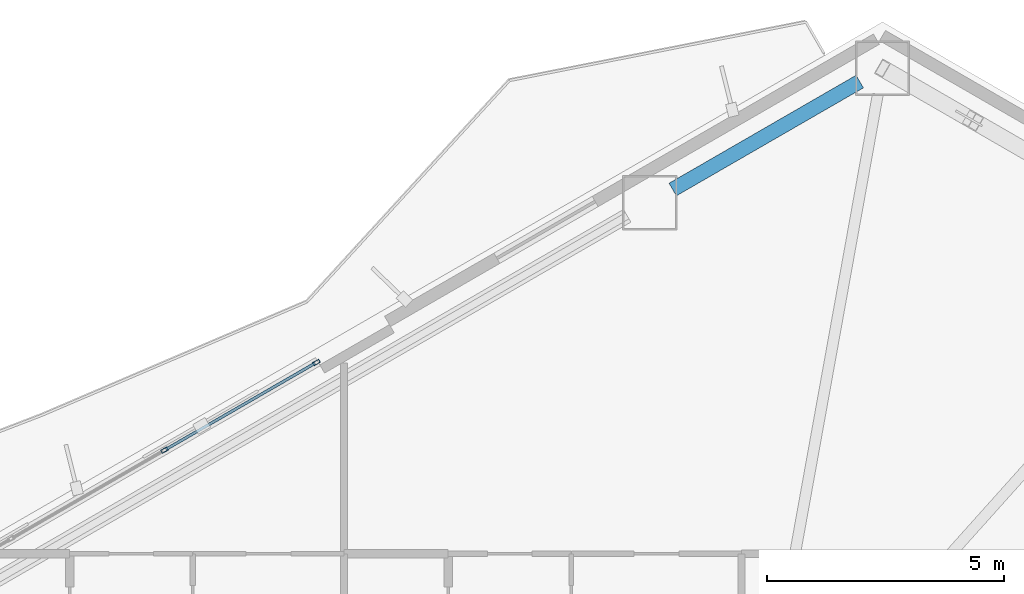
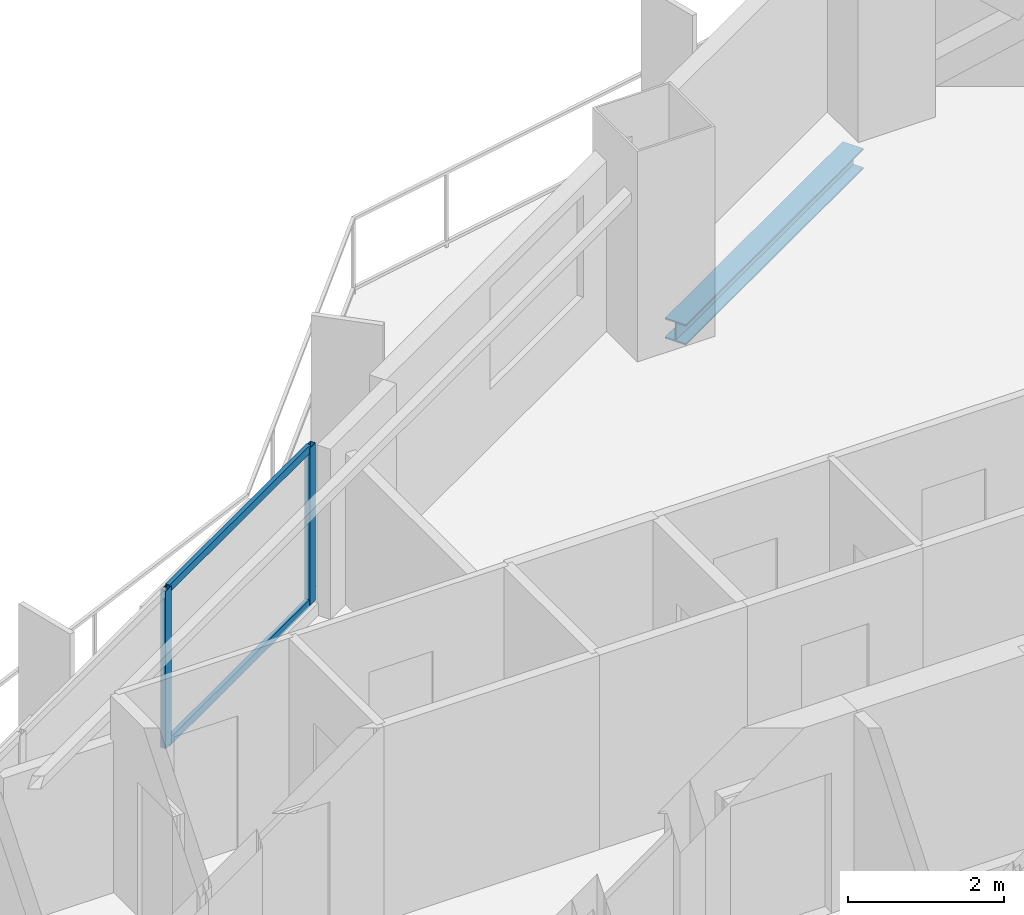
# One storey, part 13 of 22: 4 members, 1 beam, 1 element without a shape of its own.
"""IFC4 building model written with IfcOpenShell, lengths in metres."""

from ifc_helpers import new_model, si_unit, direction, frame, origin, origin_2d, place, context, subcontext, project, spatial, hollow_rectangle, i_section, extrude, material, layer, layer_set, material_profile, profile_set, type_object, element, aggregate, save


model = new_model("IFC4")

# Units and contexts
model_context = context("Model", 3, precision=1e-05, world=origin(), true_north=direction((0.0, 1.0)))
body_context = subcontext(model_context, "Body", "Model", "MODEL_VIEW")
ifc_project = project(units=[si_unit("LENGTHUNIT", "METRE"), si_unit("AREAUNIT", "SQUARE_METRE"), si_unit("VOLUMEUNIT", "CUBIC_METRE"), si_unit("PLANEANGLEUNIT", "RADIAN"), si_unit("MASSUNIT", "GRAM", prefix="KILO")], contexts=[model_context])

# Site, building, storey
site_placement = place(None, origin())
site = spatial("IfcSite", under=ifc_project, at=site_placement, CompositionType="ELEMENT")
building_placement = place(site_placement, origin())
building = spatial("IfcBuilding", under=site, at=building_placement, Name="Mersakhor Tower and Convention Hall", CompositionType="ELEMENT")
storey_placement = place(building_placement, frame((0.0, 0.0, 99.89990234375)))
storey = spatial("IfcBuildingStorey", under=building, at=storey_placement, Name="L27", CompositionType="ELEMENT", Elevation=99.89990234375)

# Beam
ifc_material_1 = material(Name="Steel S355", Category="steel")
ifc_material_profile_1 = material_profile(ifc_material_1, i_section(OverallWidth=0.30908203125, OverallDepth=0.320556640625, WebThickness=0.013916015625, FlangeThickness=0.021728515625, at=origin_2d()), Name="UC 305x305x137")
ifc_profile_set_1 = profile_set([ifc_material_profile_1], Name="Steel S355")
beam_type = type_object("IfcBeamType", Name="BM-SPD-UC305", PredefinedType="SPANDREL", material=ifc_profile_set_1)
beam_placement = place(storey_placement, frame((34.343505859375, 45.34814453125, -0.41015625), z_axis=(0.866046694585, 0.499963121439, 0.0), x_axis=(-0.499963121439, 0.866046694585, 0.0)))
element("IfcBeam", 1, at=beam_placement, inside=storey, type_object=beam_type, Name="L27 Perimeter Spandrel Beam SPB-03", PredefinedType="SPANDREL", context=body_context, shape_type="SweptSolid", body=[
    extrude(i_section(OverallWidth=0.30908203125, OverallDepth=0.320556640625, WebThickness=0.013916015625, FlangeThickness=0.021728515625, at=origin_2d()), origin(), (0.0, 0.0, 1.0), 4.566162109375),
])

# Curtain wall, members
ifc_material_2 = material(Name="Dark solar low-E aluminium curtain wall", Category="aluminium")
ifc_layer = layer(ifc_material_2, 0.159912109375)
ifc_layer_set = layer_set([ifc_layer], Name="Dark solar low-E aluminium curtain wall")
curtain_wall_type = type_object("IfcCurtainWallType", Name="CW-SYS-01", PredefinedType="USERDEFINED", material=ifc_layer_set)
curtain_wall_placement = place(storey_placement, origin())
curtain_wall = element("IfcCurtainWall", 2, at=curtain_wall_placement, inside=storey, type_object=curtain_wall_type, Name="L27 Dark-Glass Curtain Wall F1-B2", ObjectType="CURTAIN WALL", PredefinedType="USERDEFINED")
ifc_material_3 = material(Name="Anodised aluminium EN AW-6063 T6", Category="aluminium")
ifc_material_profile_2 = material_profile(ifc_material_3, hollow_rectangle(XDim=0.074951171875, YDim=0.14990234375, WallThickness=0.00634765625, at=origin_2d()), Name="RHS 150x75x6.3")
ifc_profile_set_2 = profile_set([ifc_material_profile_2], Name="Anodised aluminium EN AW-6063 T6")
member_type_1 = type_object("IfcMemberType", Name="CWM-150x75", PredefinedType="MULLION", material=ifc_profile_set_2)
member_1_placement = place(storey_placement, frame((23.603515625, 39.840087890625, 0.2001953125), z_axis=(0.0, 0.0, 1.0), x_axis=(-0.499997904985, 0.866026613339, 0.0)))
member_1 = element("IfcMember", 3, at=member_1_placement, type_object=member_type_1, Name="CW-01 mullion 3", PredefinedType="MULLION", context=body_context, shape_type="SweptSolid", body=[
    extrude(hollow_rectangle(XDim=0.074951171875, YDim=0.14990234375, WallThickness=0.00634765625, at=origin_2d()), origin(), (0.0, 0.0, 1.0), 2.469970703125),
])
member_2_placement = place(storey_placement, frame((26.812744140625, 41.69287109375, 0.2001953125), z_axis=(0.0, 0.0, 1.0), x_axis=(-0.499997904985, 0.866026613339, 0.0)))
member_2 = element("IfcMember", 4, at=member_2_placement, type_object=member_type_1, Name="CW-01 mullion 4", PredefinedType="MULLION", context=body_context, shape_type="SweptSolid", body=[
    extrude(hollow_rectangle(XDim=0.074951171875, YDim=0.14990234375, WallThickness=0.00634765625, at=origin_2d()), origin(), (0.0, 0.0, 1.0), 2.469970703125),
])
ifc_material_4 = material(Name="Anodised aluminium EN AW-6063 T6", Category="aluminium")
ifc_material_profile_3 = material_profile(ifc_material_4, hollow_rectangle(XDim=0.06005859375, YDim=0.1201171875, WallThickness=0.0048828125, at=origin_2d()), Name="RHS 120x60x5")
ifc_profile_set_3 = profile_set([ifc_material_profile_3], Name="Anodised aluminium EN AW-6063 T6")
member_type_2 = type_object("IfcMemberType", Name="CWT-120x60", PredefinedType="USERDEFINED", material=ifc_profile_set_3)
member_3_placement = place(storey_placement, frame((23.635986328125, 39.85888671875, 0.22998046875), z_axis=(0.866016497289, 0.500015426185, 0.0), x_axis=(-0.500015426185, 0.866016497289, 0.0)))
member_3 = element("IfcMember", 5, at=member_3_placement, type_object=member_type_2, Name="CW-01 transom 3.1", ObjectType="TRANSOM", PredefinedType="USERDEFINED", context=body_context, shape_type="SweptSolid", body=[
    extrude(hollow_rectangle(XDim=0.06005859375, YDim=0.1201171875, WallThickness=0.0048828125, at=origin_2d()), origin(), (0.0, 0.0, 1.0), 3.630859375),
])
member_4_placement = place(storey_placement, frame((23.635986328125, 39.85888671875, 2.64013671875), z_axis=(0.866016497289, 0.500015426185, 0.0), x_axis=(-0.500015426185, 0.866016497289, 0.0)))
member_4 = element("IfcMember", 6, at=member_4_placement, type_object=member_type_2, Name="CW-01 transom 3.2", ObjectType="TRANSOM", PredefinedType="USERDEFINED", context=body_context, shape_type="SweptSolid", body=[
    extrude(hollow_rectangle(XDim=0.06005859375, YDim=0.1201171875, WallThickness=0.0048828125, at=origin_2d()), origin(), (0.0, 0.0, 1.0), 3.630859375),
])
aggregate(curtain_wall, [member_1, member_2, member_3, member_4])

save(model, "model.ifc")
